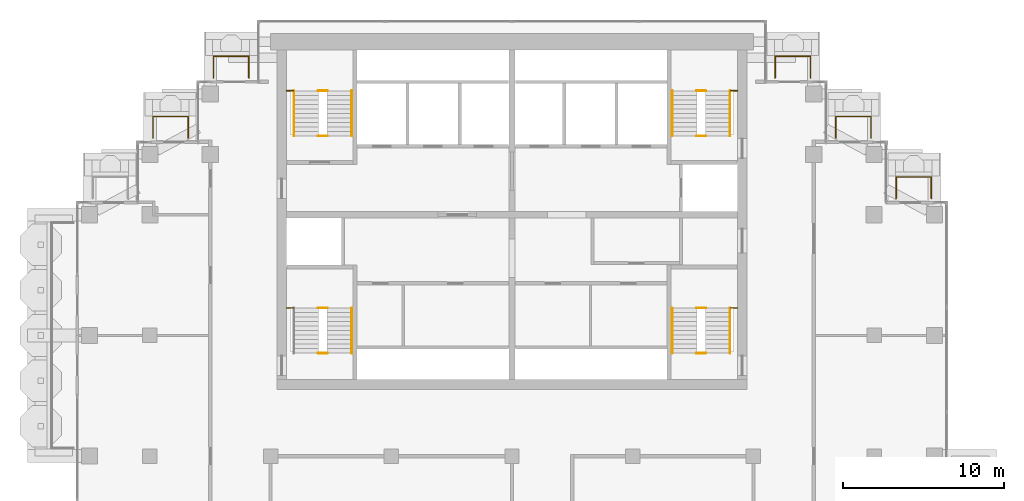
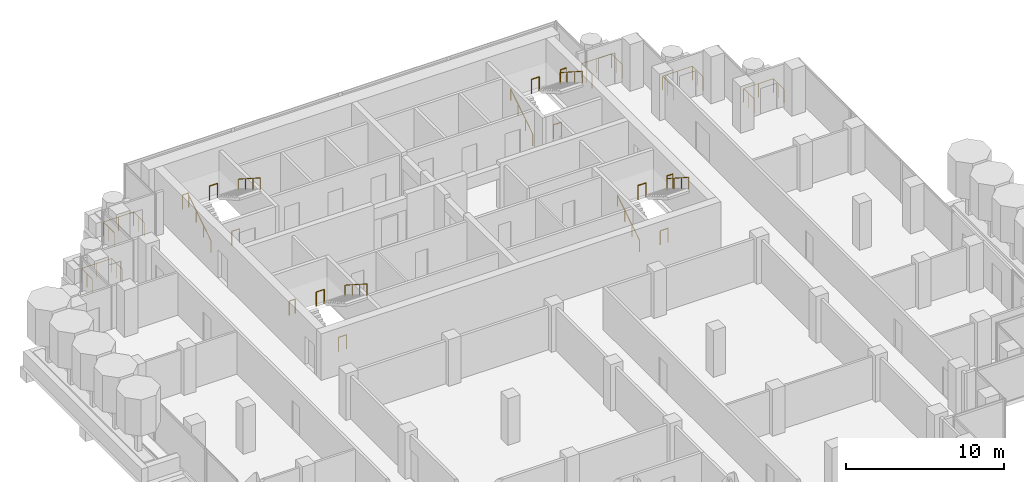
# One storey, part 16 of 17: 24 railings.
"""IFC4 building model written with IfcOpenShell, lengths in metres."""

from ifc_helpers import new_model, si_unit, direction, frame, origin, origin_2d, place, context, subcontext, project, spatial, circle, extrude, material, type_object, element, save


model = new_model("IFC4")

# Units and contexts
model_context = context("Model", 3, precision=1e-05, world=origin(), true_north=direction((0.0, 1.0)))
body_context = subcontext(model_context, "Body", "Model", "MODEL_VIEW")
ifc_project = project(units=[si_unit("LENGTHUNIT", "METRE"), si_unit("AREAUNIT", "SQUARE_METRE"), si_unit("VOLUMEUNIT", "CUBIC_METRE"), si_unit("PLANEANGLEUNIT", "RADIAN"), si_unit("MASSUNIT", "GRAM", prefix="KILO")], contexts=[model_context])

# Site, building, storey
site_placement = place(None, origin())
site = spatial("IfcSite", under=ifc_project, at=site_placement, CompositionType="ELEMENT")
building_placement = place(site_placement, origin())
building = spatial("IfcBuilding", under=site, at=building_placement, Name="Pilkhan Gate Tower", CompositionType="ELEMENT")
storey_placement = place(building_placement, frame((0.0, 0.0, 213.89990234375)))
storey = spatial("IfcBuildingStorey", under=building, at=storey_placement, Name="L55", CompositionType="ELEMENT", Elevation=213.89990234375)

# Railings
ifc_material_1 = material(Name="Pale anodised aluminium posts, laminated glass infill", Category="aluminium")
railing_type_1 = type_object("IfcRailingType", Name="Balcony guard G1", PredefinedType="BALUSTRADE", material=ifc_material_1)
for number, where, name in (
    (1, (56.449951171875, 91.0, 0.0), "Balcony guard L55 N"),
    (2, (91.35009765625, 91.0, 0.0), "Balcony guard L55 N"),
):
    element("IfcRailing", number, at=place(storey_placement, frame(where)), inside=storey, type_object=railing_type_1, Name=name, PredefinedType="BALUSTRADE", context=body_context, shape_type="SweptSolid", body=[
        extrude(circle(Radius=0.02392578125, at=origin_2d()), frame((0.0, 0.0, 1.076171875), z_axis=(0.0, 1.0, 0.0), x_axis=(-1.0, 0.0, 0.0)), (0.0, 0.0, 1.0), 1.35009765625),
        extrude(circle(Radius=0.02392578125, at=origin_2d()), frame((0.0, 1.35009765625, 1.076171875), z_axis=(1.0, 0.0, 0.0), x_axis=(0.0, 1.0, 0.0)), (0.0, 0.0, 1.0), 2.199951171875),
        extrude(circle(Radius=0.02392578125, at=origin_2d()), frame((2.199951171875, 1.35009765625, 1.076171875), z_axis=(0.0, -1.0, 0.0), x_axis=(1.0, 0.0, 0.0)), (0.0, 0.0, 1.0), 1.35009765625),
        extrude(circle(Radius=0.02099609375, at=origin_2d()), origin(), (0.0, 0.0, 1.0), 1.052001953125),
        extrude(circle(Radius=0.02099609375, at=origin_2d()), frame((0.0, 0.675048828125, 0.0)), (0.0, 0.0, 1.0), 1.052001953125),
        extrude(circle(Radius=0.02099609375, at=origin_2d()), frame((0.0, 1.35009765625, 0.0)), (0.0, 0.0, 1.0), 1.052001953125),
        extrude(circle(Radius=0.02099609375, at=origin_2d()), frame((1.10009765625, 1.35009765625, 0.0)), (0.0, 0.0, 1.0), 1.052001953125),
        extrude(circle(Radius=0.02099609375, at=origin_2d()), frame((2.199951171875, 1.35009765625, 0.0)), (0.0, 0.0, 1.0), 1.052001953125),
        extrude(circle(Radius=0.02099609375, at=origin_2d()), frame((2.199951171875, 0.675048828125, 0.0)), (0.0, 0.0, 1.0), 1.052001953125),
        extrude(circle(Radius=0.02099609375, at=origin_2d()), frame((2.199951171875, 0.0, 0.0)), (0.0, 0.0, 1.0), 1.052001953125),
    ])
for number, where, name in (
    (3, (52.699951171875, 87.27001953125, 0.0), "Balcony guard L55 N"),
    (4, (95.1201171875, 87.27001953125, 0.0), "Balcony guard L55 N"),
    (5, (98.8701171875, 83.52001953125, 0.0), "Balcony guard L55 N"),
):
    element("IfcRailing", number, at=place(storey_placement, frame(where)), inside=storey, type_object=railing_type_1, Name=name, PredefinedType="BALUSTRADE", context=body_context, shape_type="SweptSolid", body=[
        extrude(circle(Radius=0.02392578125, at=origin_2d()), frame((0.0, 0.0, 1.076171875), z_axis=(0.0, 1.0, 0.0), x_axis=(-1.0, 0.0, 0.0)), (0.0, 0.0, 1.0), 1.330078125),
        extrude(circle(Radius=0.02392578125, at=origin_2d()), frame((0.0, 1.330078125, 1.076171875), z_axis=(1.0, 0.0, 0.0), x_axis=(0.0, 1.0, 0.0)), (0.0, 0.0, 1.0), 2.179931640625),
        extrude(circle(Radius=0.02392578125, at=origin_2d()), frame((2.179931640625, 1.330078125, 1.076171875), z_axis=(0.0, -1.0, 0.0), x_axis=(1.0, 0.0, 0.0)), (0.0, 0.0, 1.0), 1.330078125),
        extrude(circle(Radius=0.02099609375, at=origin_2d()), origin(), (0.0, 0.0, 1.0), 1.052001953125),
        extrude(circle(Radius=0.02099609375, at=origin_2d()), frame((0.0, 0.6650390625, 0.0)), (0.0, 0.0, 1.0), 1.052001953125),
        extrude(circle(Radius=0.02099609375, at=origin_2d()), frame((0.0, 1.330078125, 0.0)), (0.0, 0.0, 1.0), 1.052001953125),
        extrude(circle(Radius=0.02099609375, at=origin_2d()), frame((1.08984375, 1.330078125, 0.0)), (0.0, 0.0, 1.0), 1.052001953125),
        extrude(circle(Radius=0.02099609375, at=origin_2d()), frame((2.179931640625, 1.330078125, 0.0)), (0.0, 0.0, 1.0), 1.052001953125),
        extrude(circle(Radius=0.02099609375, at=origin_2d()), frame((2.179931640625, 0.6650390625, 0.0)), (0.0, 0.0, 1.0), 1.052001953125),
        extrude(circle(Radius=0.02099609375, at=origin_2d()), frame((2.179931640625, 0.0, 0.0)), (0.0, 0.0, 1.0), 1.052001953125),
    ])
ifc_material_2 = material(Name="Black powder-coated steel tube", Category="steel")
railing_type_2 = type_object("IfcRailingType", Name="Stair handrail HR1", PredefinedType="HANDRAIL", material=ifc_material_2)
railing_1_placement = place(storey_placement, frame((84.949951171875, 73.89990234375, 0.0)))
element("IfcRailing", 6, at=railing_1_placement, inside=storey, type_object=railing_type_2, Name="Stair ST1 handrail L55", PredefinedType="HANDRAIL", context=body_context, shape_type="SweptSolid", body=[
    extrude(circle(Radius=0.02392578125, at=origin_2d()), frame((0.0, 0.0, 0.8759765625), z_axis=(0.0, 0.841176092368, 0.540761298198), x_axis=(-1.0, 0.0, 0.0)), (0.0, 0.0, 1.0), 3.32861328125),
    extrude(circle(Radius=0.02099609375, at=origin_2d()), origin(), (0.0, 0.0, 1.0), 0.851806640625),
    extrude(circle(Radius=0.02099609375, at=origin_2d()), frame((0.0, 0.933349609375, 0.60009765625)), (0.0, 0.0, 1.0), 0.851806640625),
    extrude(circle(Radius=0.02099609375, at=origin_2d()), frame((0.0, 1.86669921875, 1.199951171875)), (0.0, 0.0, 1.0), 0.851806640625),
    extrude(circle(Radius=0.02099609375, at=origin_2d()), frame((0.0, 2.800048828125, 1.800048828125)), (0.0, 0.0, 1.0), 0.851806640625),
])
for number, where, name in (
    (7, (88.550048828125, 76.699951171875, 1.800048828125), "Stair ST1 handrail L55"),
    (8, (65.050048828125, 76.699951171875, 1.800048828125), "Stair ST2 handrail L55"),
):
    element("IfcRailing", number, at=place(storey_placement, frame(where)), inside=storey, type_object=railing_type_2, Name=name, PredefinedType="HANDRAIL", context=body_context, shape_type="SweptSolid", body=[
        extrude(circle(Radius=0.02392578125, at=origin_2d()), frame((0.0, 0.0, 0.8759765625), z_axis=(0.0, -0.841176092368, 0.540761298198), x_axis=(1.0, 0.0, 0.0)), (0.0, 0.0, 1.0), 3.32861328125),
        extrude(circle(Radius=0.02099609375, at=origin_2d()), origin(), (0.0, 0.0, 1.0), 0.851806640625),
        extrude(circle(Radius=0.02099609375, at=origin_2d()), frame((0.0, -0.933349609375, 0.60009765625)), (0.0, 0.0, 1.0), 0.851806640625),
        extrude(circle(Radius=0.02099609375, at=origin_2d()), frame((0.0, -1.86669921875, 1.199951171875)), (0.0, 0.0, 1.0), 0.851806640625),
        extrude(circle(Radius=0.02099609375, at=origin_2d()), frame((0.0, -2.800048828125, 1.800048828125)), (0.0, 0.0, 1.0), 0.851806640625),
    ])
railing_2_placement = place(storey_placement, frame((61.449951171875, 87.39990234375, 0.0)))
element("IfcRailing", 9, at=railing_2_placement, inside=storey, type_object=railing_type_2, Name="Stair ST3 handrail L55", PredefinedType="HANDRAIL", context=body_context, shape_type="SweptSolid", body=[
    extrude(circle(Radius=0.02392578125, at=origin_2d()), frame((0.0, 0.0, 0.8759765625), z_axis=(0.0, 0.841176092368, 0.540761298198), x_axis=(-1.0, 0.0, 0.0)), (0.0, 0.0, 1.0), 3.32861328125),
    extrude(circle(Radius=0.02099609375, at=origin_2d()), origin(), (0.0, 0.0, 1.0), 0.851806640625),
    extrude(circle(Radius=0.02099609375, at=origin_2d()), frame((0.0, 0.933349609375, 0.60009765625)), (0.0, 0.0, 1.0), 0.851806640625),
    extrude(circle(Radius=0.02099609375, at=origin_2d()), frame((0.0, 1.86669921875, 1.199951171875)), (0.0, 0.0, 1.0), 0.851806640625),
    extrude(circle(Radius=0.02099609375, at=origin_2d()), frame((0.0, 2.800048828125, 1.800048828125)), (0.0, 0.0, 1.0), 0.851806640625),
])
railing_3_placement = place(storey_placement, frame((65.050048828125, 90.199951171875, 1.800048828125)))
element("IfcRailing", 10, at=railing_3_placement, inside=storey, type_object=railing_type_2, Name="Stair ST3 handrail L55", PredefinedType="HANDRAIL", context=body_context, shape_type="SweptSolid", body=[
    extrude(circle(Radius=0.02392578125, at=origin_2d()), frame((0.0, 0.0, 0.8759765625), z_axis=(0.0, -0.841176092368, 0.540761298198), x_axis=(1.0, 0.0, 0.0)), (0.0, 0.0, 1.0), 3.32861328125),
    extrude(circle(Radius=0.02099609375, at=origin_2d()), origin(), (0.0, 0.0, 1.0), 0.851806640625),
    extrude(circle(Radius=0.02099609375, at=origin_2d()), frame((0.0, -0.933349609375, 0.60009765625)), (0.0, 0.0, 1.0), 0.851806640625),
    extrude(circle(Radius=0.02099609375, at=origin_2d()), frame((0.0, -1.86669921875, 1.199951171875)), (0.0, 0.0, 1.0), 0.851806640625),
    extrude(circle(Radius=0.02099609375, at=origin_2d()), frame((0.0, -2.800048828125, 1.800048828125)), (0.0, 0.0, 1.0), 0.851806640625),
])
railing_4_placement = place(storey_placement, frame((84.949951171875, 87.39990234375, 0.0)))
element("IfcRailing", 11, at=railing_4_placement, inside=storey, type_object=railing_type_2, Name="Stair ST4 handrail L55", PredefinedType="HANDRAIL", context=body_context, shape_type="SweptSolid", body=[
    extrude(circle(Radius=0.02392578125, at=origin_2d()), frame((0.0, 0.0, 0.8759765625), z_axis=(0.0, 0.841176092368, 0.540761298198), x_axis=(-1.0, 0.0, 0.0)), (0.0, 0.0, 1.0), 3.32861328125),
    extrude(circle(Radius=0.02099609375, at=origin_2d()), origin(), (0.0, 0.0, 1.0), 0.851806640625),
    extrude(circle(Radius=0.02099609375, at=origin_2d()), frame((0.0, 0.933349609375, 0.60009765625)), (0.0, 0.0, 1.0), 0.851806640625),
    extrude(circle(Radius=0.02099609375, at=origin_2d()), frame((0.0, 1.86669921875, 1.199951171875)), (0.0, 0.0, 1.0), 0.851806640625),
    extrude(circle(Radius=0.02099609375, at=origin_2d()), frame((0.0, 2.800048828125, 1.800048828125)), (0.0, 0.0, 1.0), 0.851806640625),
])
railing_5_placement = place(storey_placement, frame((88.550048828125, 90.199951171875, 1.800048828125)))
element("IfcRailing", 12, at=railing_5_placement, inside=storey, type_object=railing_type_2, Name="Stair ST4 handrail L55", PredefinedType="HANDRAIL", context=body_context, shape_type="SweptSolid", body=[
    extrude(circle(Radius=0.02392578125, at=origin_2d()), frame((0.0, 0.0, 0.8759765625), z_axis=(0.0, -0.841176092368, 0.540761298198), x_axis=(1.0, 0.0, 0.0)), (0.0, 0.0, 1.0), 3.32861328125),
    extrude(circle(Radius=0.02099609375, at=origin_2d()), origin(), (0.0, 0.0, 1.0), 0.851806640625),
    extrude(circle(Radius=0.02099609375, at=origin_2d()), frame((0.0, -0.933349609375, 0.60009765625)), (0.0, 0.0, 1.0), 0.851806640625),
    extrude(circle(Radius=0.02099609375, at=origin_2d()), frame((0.0, -1.86669921875, 1.199951171875)), (0.0, 0.0, 1.0), 0.851806640625),
    extrude(circle(Radius=0.02099609375, at=origin_2d()), frame((0.0, -2.800048828125, 1.800048828125)), (0.0, 0.0, 1.0), 0.851806640625),
])
ifc_material_3 = material(Name="Black powder-coated steel balusters", Category="steel")
railing_type_3 = type_object("IfcRailingType", Name="Stair well guard G3", PredefinedType="GUARDRAIL", material=ifc_material_3)
railing_6_placement = place(storey_placement, frame((88.580078125, 76.699951171875, 1.800048828125)))
element("IfcRailing", 13, at=railing_6_placement, inside=storey, type_object=railing_type_3, Name="Stair ST1 well guard L55", PredefinedType="GUARDRAIL", context=body_context, shape_type="SweptSolid", body=[
    extrude(circle(Radius=0.02392578125, at=origin_2d()), frame((0.0, 0.0, 1.076171875), z_axis=(1.0, 0.0, 0.0), x_axis=(0.0, 1.0, 0.0)), (0.0, 0.0, 1.0), 0.43994140625),
    extrude(circle(Radius=0.02099609375, at=origin_2d()), origin(), (0.0, 0.0, 1.0), 1.052001953125),
    extrude(circle(Radius=0.02099609375, at=origin_2d()), frame((0.43994140625, 0.0, 0.0)), (0.0, 0.0, 1.0), 1.052001953125),
])
for number, where, name in (
    (14, (86.4599609375, 73.89990234375, 0.0), "Stair ST1 well guard L55"),
    (15, (86.4599609375, 76.699951171875, 1.800048828125), "Stair ST1 well guard L55"),
):
    element("IfcRailing", number, at=place(storey_placement, frame(where)), inside=storey, type_object=railing_type_3, Name=name, PredefinedType="GUARDRAIL", context=body_context, shape_type="SweptSolid", body=[
        extrude(circle(Radius=0.02392578125, at=origin_2d()), frame((0.0, 0.0, 1.076171875), z_axis=(1.0, 0.0, 0.0), x_axis=(0.0, 1.0, 0.0)), (0.0, 0.0, 1.0), 0.580078125),
        extrude(circle(Radius=0.02099609375, at=origin_2d()), origin(), (0.0, 0.0, 1.0), 1.052001953125),
        extrude(circle(Radius=0.02099609375, at=origin_2d()), frame((0.580078125, 0.0, 0.0)), (0.0, 0.0, 1.0), 1.052001953125),
    ])
railing_7_placement = place(storey_placement, frame((60.97998046875, 76.699951171875, 1.800048828125)))
element("IfcRailing", 16, at=railing_7_placement, inside=storey, type_object=railing_type_3, Name="Stair ST2 well guard L55", PredefinedType="GUARDRAIL", context=body_context, shape_type="SweptSolid", body=[
    extrude(circle(Radius=0.02392578125, at=origin_2d()), frame((0.0, 0.0, 1.076171875), z_axis=(1.0, 0.0, 0.0), x_axis=(0.0, 1.0, 0.0)), (0.0, 0.0, 1.0), 0.43994140625),
    extrude(circle(Radius=0.02099609375, at=origin_2d()), origin(), (0.0, 0.0, 1.0), 1.052001953125),
    extrude(circle(Radius=0.02099609375, at=origin_2d()), frame((0.43994140625, 0.0, 0.0)), (0.0, 0.0, 1.0), 1.052001953125),
])
for number, where, name in (
    (17, (62.9599609375, 73.89990234375, 0.0), "Stair ST2 well guard L55"),
    (18, (62.9599609375, 76.699951171875, 1.800048828125), "Stair ST2 well guard L55"),
):
    element("IfcRailing", number, at=place(storey_placement, frame(where)), inside=storey, type_object=railing_type_3, Name=name, PredefinedType="GUARDRAIL", context=body_context, shape_type="SweptSolid", body=[
        extrude(circle(Radius=0.02392578125, at=origin_2d()), frame((0.0, 0.0, 1.076171875), z_axis=(1.0, 0.0, 0.0), x_axis=(0.0, 1.0, 0.0)), (0.0, 0.0, 1.0), 0.580078125),
        extrude(circle(Radius=0.02099609375, at=origin_2d()), origin(), (0.0, 0.0, 1.0), 1.052001953125),
        extrude(circle(Radius=0.02099609375, at=origin_2d()), frame((0.580078125, 0.0, 0.0)), (0.0, 0.0, 1.0), 1.052001953125),
    ])
railing_8_placement = place(storey_placement, frame((60.97998046875, 90.199951171875, 1.800048828125)))
element("IfcRailing", 19, at=railing_8_placement, inside=storey, type_object=railing_type_3, Name="Stair ST3 well guard L55", PredefinedType="GUARDRAIL", context=body_context, shape_type="SweptSolid", body=[
    extrude(circle(Radius=0.02392578125, at=origin_2d()), frame((0.0, 0.0, 1.076171875), z_axis=(1.0, 0.0, 0.0), x_axis=(0.0, 1.0, 0.0)), (0.0, 0.0, 1.0), 0.43994140625),
    extrude(circle(Radius=0.02099609375, at=origin_2d()), origin(), (0.0, 0.0, 1.0), 1.052001953125),
    extrude(circle(Radius=0.02099609375, at=origin_2d()), frame((0.43994140625, 0.0, 0.0)), (0.0, 0.0, 1.0), 1.052001953125),
])
for number, where, name in (
    (20, (62.9599609375, 87.39990234375, 0.0), "Stair ST3 well guard L55"),
    (21, (62.9599609375, 90.199951171875, 1.800048828125), "Stair ST3 well guard L55"),
):
    element("IfcRailing", number, at=place(storey_placement, frame(where)), inside=storey, type_object=railing_type_3, Name=name, PredefinedType="GUARDRAIL", context=body_context, shape_type="SweptSolid", body=[
        extrude(circle(Radius=0.02392578125, at=origin_2d()), frame((0.0, 0.0, 1.076171875), z_axis=(1.0, 0.0, 0.0), x_axis=(0.0, 1.0, 0.0)), (0.0, 0.0, 1.0), 0.580078125),
        extrude(circle(Radius=0.02099609375, at=origin_2d()), origin(), (0.0, 0.0, 1.0), 1.052001953125),
        extrude(circle(Radius=0.02099609375, at=origin_2d()), frame((0.580078125, 0.0, 0.0)), (0.0, 0.0, 1.0), 1.052001953125),
    ])
railing_9_placement = place(storey_placement, frame((88.580078125, 90.199951171875, 1.800048828125)))
element("IfcRailing", 22, at=railing_9_placement, inside=storey, type_object=railing_type_3, Name="Stair ST4 well guard L55", PredefinedType="GUARDRAIL", context=body_context, shape_type="SweptSolid", body=[
    extrude(circle(Radius=0.02392578125, at=origin_2d()), frame((0.0, 0.0, 1.076171875), z_axis=(1.0, 0.0, 0.0), x_axis=(0.0, 1.0, 0.0)), (0.0, 0.0, 1.0), 0.43994140625),
    extrude(circle(Radius=0.02099609375, at=origin_2d()), origin(), (0.0, 0.0, 1.0), 1.052001953125),
    extrude(circle(Radius=0.02099609375, at=origin_2d()), frame((0.43994140625, 0.0, 0.0)), (0.0, 0.0, 1.0), 1.052001953125),
])
for number, where, name in (
    (23, (86.4599609375, 87.39990234375, 0.0), "Stair ST4 well guard L55"),
    (24, (86.4599609375, 90.199951171875, 1.800048828125), "Stair ST4 well guard L55"),
):
    element("IfcRailing", number, at=place(storey_placement, frame(where)), inside=storey, type_object=railing_type_3, Name=name, PredefinedType="GUARDRAIL", context=body_context, shape_type="SweptSolid", body=[
        extrude(circle(Radius=0.02392578125, at=origin_2d()), frame((0.0, 0.0, 1.076171875), z_axis=(1.0, 0.0, 0.0), x_axis=(0.0, 1.0, 0.0)), (0.0, 0.0, 1.0), 0.580078125),
        extrude(circle(Radius=0.02099609375, at=origin_2d()), origin(), (0.0, 0.0, 1.0), 1.052001953125),
        extrude(circle(Radius=0.02099609375, at=origin_2d()), frame((0.580078125, 0.0, 0.0)), (0.0, 0.0, 1.0), 1.052001953125),
    ])

save(model, "model.ifc")
